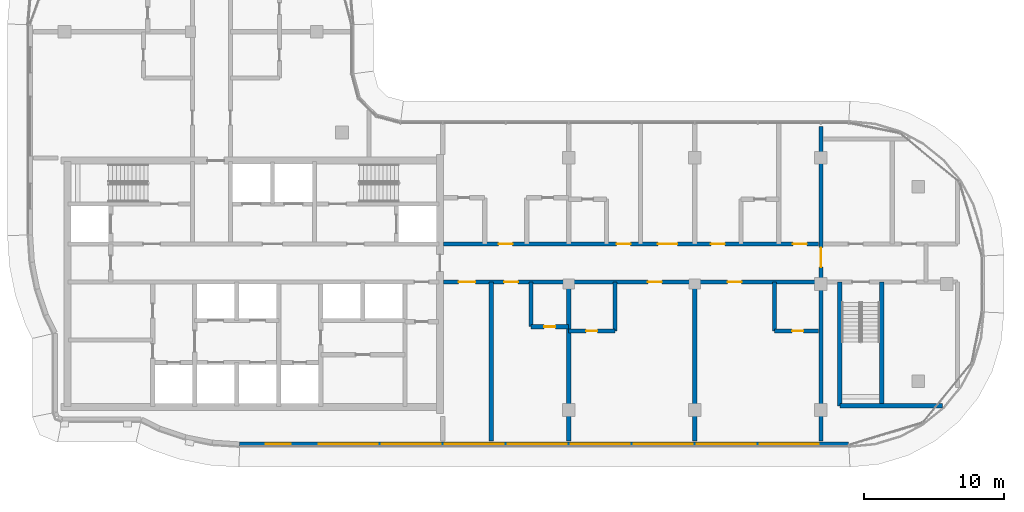
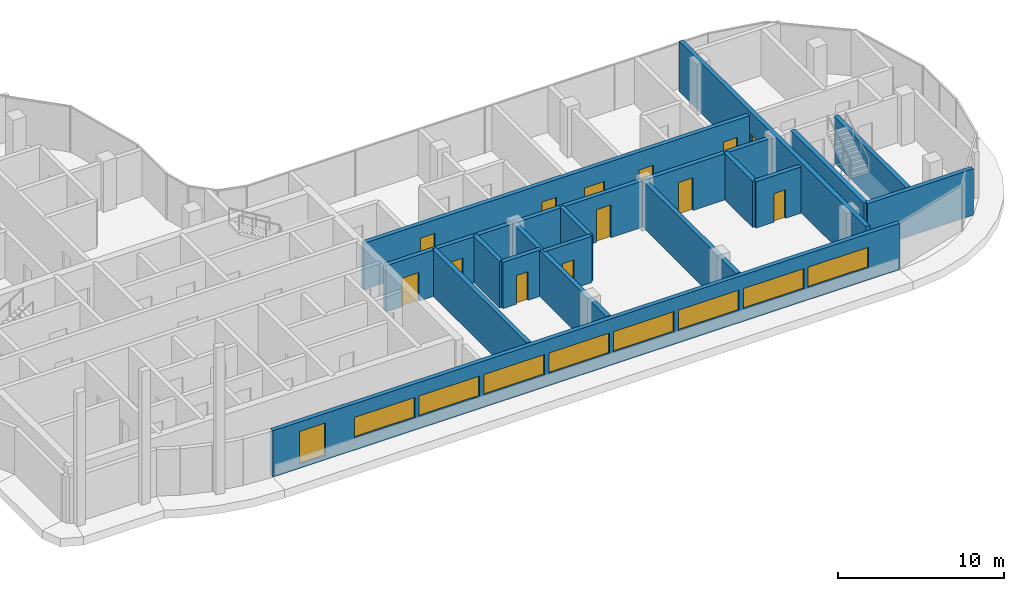
# One storey, part 11 of 20: 16 walls, 13 doors, 9 windows, 22 openings.
"""IFC4 building model written with IfcOpenShell, lengths in metres."""

import ifcopenshell
import ifcopenshell.guid

model = None  # the IFC model being written
_history = None  # IfcOwnerHistory: only IFC2X3 demands one
_inside = {}  # id of a spatial element -> (the spatial element, [elements in it])
_under = {}  # id of a project, library or spatial element -> (it, [spatial elements below it])
_declared = {}  # id of a project -> (the project, [libraries it declares])
_typed = {}  # id of a type object -> (the type object, [elements of that type])
_made_of = {}  # id of a material, layer set ... -> (it, [elements and type objects made of it])


def new_model(schema):
    """Start an empty IFC model of exactly this schema.

    Asked for "IFC4X3", IfcOpenShell would pick the latest addendum, in which some entities
    have other attributes; the version numbers below select the first issue.
    IFC2X3 requires an IfcOwnerHistory on every rooted entity: one is made here for all.
    """
    global model, _history
    if schema == "IFC4X3":
        model = ifcopenshell.file(schema_version=(4, 3, 0, 0))
    else:
        model = ifcopenshell.file(schema=schema)
    _inside.clear()
    _under.clear()
    _declared.clear()
    _typed.clear()
    _made_of.clear()
    _history = None
    if model.schema == "IFC2X3":
        org = make("IfcOrganization", Name="unknown")
        user = make(
            "IfcPersonAndOrganization",
            ThePerson=make("IfcPerson", FamilyName="unknown"),
            TheOrganization=org,
        )
        app = make(
            "IfcApplication",
            ApplicationDeveloper=org,
            Version="unknown",
            ApplicationFullName="unknown",
            ApplicationIdentifier="unknown",
        )
        _history = make(
            "IfcOwnerHistory",
            OwningUser=user,
            OwningApplication=app,
            ChangeAction="ADDED",
            CreationDate=0,
        )
    return model


def make(cls, **values):
    """One entity of the class cls with the attributes given. An attribute that is None is left unset."""
    return model.create_entity(
        cls, **{name: value for name, value in values.items() if value is not None}
    )


def rooted(cls, **values):
    """An entity with a GlobalId (a new one), such as an element, a storey or a relation."""
    return make(cls, GlobalId=ifcopenshell.guid.new(), OwnerHistory=_history, **values)


def si_unit(unit_type, name, prefix=None):
    """IfcSIUnit, for example si_unit("LENGTHUNIT", "METRE", prefix="MILLI")."""
    return make("IfcSIUnit", UnitType=unit_type, Prefix=prefix, Name=name)


def assignment(units):
    """IfcUnitAssignment: the units of a project."""
    return None if units is None else make("IfcUnitAssignment", Units=units)


def point(xyz):
    """IfcCartesianPoint."""
    return None if xyz is None else make("IfcCartesianPoint", Coordinates=xyz)


def direction(xyz):
    """IfcDirection."""
    return None if xyz is None else make("IfcDirection", DirectionRatios=xyz)


def frame(location, z_axis=None, x_axis=None):
    """IfcAxis2Placement3D, a coordinate frame: its origin and axes. An axis left out is left unset."""
    return make(
        "IfcAxis2Placement3D",
        Location=point(location),
        Axis=direction(z_axis),
        RefDirection=direction(x_axis),
    )


def frame_2d(location, x_axis=None):
    """IfcAxis2Placement2D, a coordinate frame in the plane: its origin and x axis."""
    return make(
        "IfcAxis2Placement2D", Location=point(location), RefDirection=direction(x_axis)
    )


def origin():
    """The frame at (0, 0, 0) with its axes left unset."""
    return frame((0.0, 0.0, 0.0))


def place(relative_to, where):
    """IfcLocalPlacement: puts the frame where relative to a parent placement (None: the world)."""
    return make(
        "IfcLocalPlacement", PlacementRelTo=relative_to, RelativePlacement=where
    )


def context(
    kind, dimensions, precision=None, world=None, true_north=None, identifier=None
):
    """IfcGeometricRepresentationContext, for example the 3D "Model" context."""
    return make(
        "IfcGeometricRepresentationContext",
        ContextIdentifier=identifier,
        ContextType=kind,
        CoordinateSpaceDimension=dimensions,
        Precision=precision,
        WorldCoordinateSystem=world,
        TrueNorth=true_north,
    )


def subcontext(parent, identifier, kind, view, scale=None):
    """IfcGeometricRepresentationSubContext, for example "Body" below "Model"."""
    return make(
        "IfcGeometricRepresentationSubContext",
        ContextIdentifier=identifier,
        ContextType=kind,
        ParentContext=parent,
        TargetScale=scale,
        TargetView=view,
    )


def project(units=None, contexts=None):
    """IfcProject with its units and contexts."""
    return rooted(
        "IfcProject",
        Name="project",
        RepresentationContexts=contexts,
        UnitsInContext=assignment(units),
    )


def spatial(cls, under=None, at=None, **own):
    """A site, building, storey or space (cls), placed at a placement, below another one or the project."""
    s = rooted(cls, ObjectPlacement=at, **own)
    if under is not None:
        _under.setdefault(under.id(), (under, []))[1].append(s)
    return s


def profile(cls, at=None, kind="AREA", **sizes):
    """A parametric profile (cls). Its sizes go by their IFC names, for example OverallWidth=200.0."""
    return make(cls, ProfileType=kind, Position=at, **sizes)


def rectangle(**sizes):
    """IfcRectangleProfileDef."""
    return profile("IfcRectangleProfileDef", **sizes)


def extrude(swept, where, along, depth):
    """IfcExtrudedAreaSolid: the profile swept, set in the frame where, extruded along a direction by depth."""
    return make(
        "IfcExtrudedAreaSolid",
        SweptArea=swept,
        Position=where,
        ExtrudedDirection=direction(along),
        Depth=depth,
    )


def shape(context_of_items, identifier, shape_type, items):
    """IfcShapeRepresentation: the items that make up one representation, for example the "Body"."""
    return make(
        "IfcShapeRepresentation",
        ContextOfItems=context_of_items,
        RepresentationIdentifier=identifier,
        RepresentationType=shape_type,
        Items=items,
    )


def material(Name=None, Category=None):
    """IfcMaterial."""
    return make("IfcMaterial", Name=Name, Category=Category)


def layer(
    of_material, thickness, ventilated=None, Name=None, Category=None, Priority=None
):
    """IfcMaterialLayer: one layer of a wall or slab, of a material (None: an air gap)."""
    return make(
        "IfcMaterialLayer",
        Material=of_material,
        LayerThickness=thickness,
        IsVentilated=ventilated,
        Name=Name,
        Category=Category,
        Priority=Priority,
    )


def layer_set(layers, Name=None):
    """IfcMaterialLayerSet."""
    return make("IfcMaterialLayerSet", MaterialLayers=layers, LayerSetName=Name)


def made_of(thing, what):
    """Note that an element or type object is made of a material, layer set ...; save() writes the relation."""
    if what is not None:
        _made_of.setdefault(what.id(), (what, []))[1].append(thing)
    return thing


def type_object(cls, material=None, **own):
    """A type object (cls), such as IfcWallType, which elements share."""
    return made_of(rooted(cls, **own), material)


def element(
    cls,
    number,
    at=None,
    inside=None,
    cuts=None,
    type_object=None,
    material=None,
    context=None,
    identifier="Body",
    shape_type=None,
    held_by="IfcProductDefinitionShape",
    body=None,
    shapes=None,
    **own,
):
    """One element of the class cls, such as IfcWall. Its Tag is "e" and its number.

    at: its placement. inside: the storey or other place that contains it. cuts: it is an
    opening in that element (IfcRelVoidsElement). A single representation is given by context,
    identifier, shape_type and body (its items); several are given by shapes. held_by: the class
    of the entity that holds the representations. save() writes the other relations.
    """
    e = rooted(cls, Tag="e%d" % number, ObjectPlacement=at, **own)
    if body is not None:
        shapes = [shape(context, identifier, shape_type, body)]
    if shapes is not None:
        e.Representation = make(held_by, Representations=shapes)
    if inside is not None:
        _inside.setdefault(inside.id(), (inside, []))[1].append(e)
    if cuts is not None:
        rooted(
            "IfcRelVoidsElement", RelatingBuildingElement=cuts, RelatedOpeningElement=e
        )
    if type_object is not None:
        _typed.setdefault(type_object.id(), (type_object, []))[1].append(e)
    return made_of(e, material)


def fill(opening, filler):
    """IfcRelFillsElement: the door or window that sits in an opening."""
    return rooted(
        "IfcRelFillsElement",
        RelatingOpeningElement=opening,
        RelatedBuildingElement=filler,
    )


def aggregate(whole, parts):
    """IfcRelAggregates: a whole, such as a stair, and the parts it consists of."""
    return rooted("IfcRelAggregates", RelatingObject=whole, RelatedObjects=parts)


def save(model, path):
    """Write the relations noted so far, then the file.

    IfcRelAggregates (storeys below a building ...), IfcRelContainedInSpatialStructure (elements
    in a storey), IfcRelDefinesByType, IfcRelAssociatesMaterial and IfcRelDeclares: one each for
    every whole, place, type object, material and project.
    """
    for whole, parts in _under.values():
        aggregate(whole, parts)
    for where, things in _inside.values():
        rooted(
            "IfcRelContainedInSpatialStructure",
            RelatedElements=things,
            RelatingStructure=where,
        )
    for kind, things in _typed.values():
        rooted("IfcRelDefinesByType", RelatedObjects=things, RelatingType=kind)
    for what, things in _made_of.values():
        rooted("IfcRelAssociatesMaterial", RelatedObjects=things, RelatingMaterial=what)
    for by, libraries in _declared.values():
        rooted("IfcRelDeclares", RelatingContext=by, RelatedDefinitions=libraries)
    model.write(path)


model = new_model("IFC4")

# Units and contexts
model_context = context("Model", 3, precision=1e-05, world=origin(), true_north=direction((0.0, 1.0)))
body_context = subcontext(model_context, "Body", "Model", "MODEL_VIEW")
ifc_project = project(units=[si_unit("LENGTHUNIT", "METRE"), si_unit("AREAUNIT", "SQUARE_METRE"), si_unit("VOLUMEUNIT", "CUBIC_METRE"), si_unit("PLANEANGLEUNIT", "RADIAN"), si_unit("MASSUNIT", "GRAM", prefix="KILO")], contexts=[model_context])

# Site, building, storey
site_placement = place(None, origin())
site = spatial("IfcSite", under=ifc_project, at=site_placement, CompositionType="ELEMENT")
building_placement = place(site_placement, origin())
building = spatial("IfcBuilding", under=site, at=building_placement, Name="Ogive Portal Towers", CompositionType="ELEMENT")
storey_placement = place(building_placement, frame((0.0, 0.0, 232.800048828125)))
storey = spatial("IfcBuildingStorey", under=building, at=storey_placement, Name="L58", CompositionType="ELEMENT", Elevation=232.800048828125)

# Wall, openings, windows
ifc_material_1 = material(Name="Limestone cladding on lightweight block wall", Category="masonry")
ifc_layer_1 = layer(ifc_material_1, 0.300048828125)
ifc_layer_set_1 = layer_set([ifc_layer_1], Name="EXTERNAL WALL 300 STONE")
wall_type_1 = type_object("IfcWallType", Name="EXTERNAL WALL 300 STONE", PredefinedType="SOLIDWALL", material=ifc_layer_set_1)
wall_1_placement = place(storey_placement, frame((44.009765625, 19.074951171875, 0.0), z_axis=(0.0, 0.0, 1.0), x_axis=(1.0, 0.0, 0.0)))
wall_1 = element("IfcWall", 1, at=wall_1_placement, inside=storey, type_object=wall_type_1, Name="A:L58:f08:r0:wall", PredefinedType="SOLIDWALL", context=body_context, shape_type="SweptSolid", body=[
    extrude(rectangle(XDim=43.478271484375, YDim=0.300048828125, at=frame_2d((21.7392578125, 0.0))), origin(), (0.0, 0.0, 1.0), 3.39990234375),
])
opening_1_placement = place(wall_1_placement, frame((1.844970703125, 0.0, 0.300048828125)))
opening_1 = element("IfcOpeningElement", 2, at=opening_1_placement, cuts=wall_1, Name="Opening WN10", PredefinedType="OPENING", context=body_context, shape_type="SweptSolid", body=[
    extrude(rectangle(XDim=1.800048828125, YDim=2.39990234375, at=frame_2d((0.89990234375, 1.199951171875))), frame((0.0, 0.16015625, 0.0), z_axis=(0.0, -1.0, 0.0), x_axis=(1.0, 0.0, 0.0)), (0.0, 0.0, 1.0), 0.320068359375),
])
opening_2_placement = place(wall_1_placement, frame((5.64013671875, 0.0, 0.89990234375)))
opening_2 = element("IfcOpeningElement", 3, at=opening_2_placement, cuts=wall_1, Name="Opening WN11", PredefinedType="OPENING", context=body_context, shape_type="SweptSolid", body=[
    extrude(rectangle(XDim=4.199951171875, YDim=1.5, at=frame_2d((2.10009765625, 0.75))), frame((0.0, 0.16015625, 0.0), z_axis=(0.0, -1.0, 0.0), x_axis=(1.0, 0.0, 0.0)), (0.0, 0.0, 1.0), 0.320068359375),
])
opening_3_placement = place(wall_1_placement, frame((10.14013671875, 0.0, 0.89990234375)))
opening_3 = element("IfcOpeningElement", 4, at=opening_3_placement, cuts=wall_1, Name="Opening WN11", PredefinedType="OPENING", context=body_context, shape_type="SweptSolid", body=[
    extrude(rectangle(XDim=4.199951171875, YDim=1.5, at=frame_2d((2.10009765625, 0.75))), frame((0.0, 0.16015625, 0.0), z_axis=(0.0, -1.0, 0.0), x_axis=(1.0, 0.0, 0.0)), (0.0, 0.0, 1.0), 0.320068359375),
])
opening_4_placement = place(wall_1_placement, frame((14.64013671875, 0.0, 0.89990234375)))
opening_4 = element("IfcOpeningElement", 5, at=opening_4_placement, cuts=wall_1, Name="Opening WN11", PredefinedType="OPENING", context=body_context, shape_type="SweptSolid", body=[
    extrude(rectangle(XDim=4.199951171875, YDim=1.5, at=frame_2d((2.10009765625, 0.75))), frame((0.0, 0.16015625, 0.0), z_axis=(0.0, -1.0, 0.0), x_axis=(1.0, 0.0, 0.0)), (0.0, 0.0, 1.0), 0.320068359375),
])
opening_5_placement = place(wall_1_placement, frame((19.14013671875, 0.0, 0.89990234375)))
opening_5 = element("IfcOpeningElement", 6, at=opening_5_placement, cuts=wall_1, Name="Opening WN11", PredefinedType="OPENING", context=body_context, shape_type="SweptSolid", body=[
    extrude(rectangle(XDim=4.199951171875, YDim=1.5, at=frame_2d((2.10009765625, 0.75))), frame((0.0, 0.16015625, 0.0), z_axis=(0.0, -1.0, 0.0), x_axis=(1.0, 0.0, 0.0)), (0.0, 0.0, 1.0), 0.320068359375),
])
opening_6_placement = place(wall_1_placement, frame((23.64013671875, 0.0, 0.89990234375)))
opening_6 = element("IfcOpeningElement", 7, at=opening_6_placement, cuts=wall_1, Name="Opening WN11", PredefinedType="OPENING", context=body_context, shape_type="SweptSolid", body=[
    extrude(rectangle(XDim=4.199951171875, YDim=1.5, at=frame_2d((2.10009765625, 0.75))), frame((0.0, 0.16015625, 0.0), z_axis=(0.0, -1.0, 0.0), x_axis=(1.0, 0.0, 0.0)), (0.0, 0.0, 1.0), 0.320068359375),
])
opening_7_placement = place(wall_1_placement, frame((28.14013671875, 0.0, 0.89990234375)))
opening_7 = element("IfcOpeningElement", 8, at=opening_7_placement, cuts=wall_1, Name="Opening WN11", PredefinedType="OPENING", context=body_context, shape_type="SweptSolid", body=[
    extrude(rectangle(XDim=4.199951171875, YDim=1.5, at=frame_2d((2.10009765625, 0.75))), frame((0.0, 0.16015625, 0.0), z_axis=(0.0, -1.0, 0.0), x_axis=(1.0, 0.0, 0.0)), (0.0, 0.0, 1.0), 0.320068359375),
])
opening_8_placement = place(wall_1_placement, frame((32.64013671875, 0.0, 0.89990234375)))
opening_8 = element("IfcOpeningElement", 9, at=opening_8_placement, cuts=wall_1, Name="Opening WN11", PredefinedType="OPENING", context=body_context, shape_type="SweptSolid", body=[
    extrude(rectangle(XDim=4.199951171875, YDim=1.5, at=frame_2d((2.10009765625, 0.75))), frame((0.0, 0.16015625, 0.0), z_axis=(0.0, -1.0, 0.0), x_axis=(1.0, 0.0, 0.0)), (0.0, 0.0, 1.0), 0.320068359375),
])
opening_9_placement = place(wall_1_placement, frame((37.14013671875, 0.0, 0.89990234375)))
opening_9 = element("IfcOpeningElement", 10, at=opening_9_placement, cuts=wall_1, Name="Opening WN11", PredefinedType="OPENING", context=body_context, shape_type="SweptSolid", body=[
    extrude(rectangle(XDim=4.199951171875, YDim=1.5, at=frame_2d((2.10009765625, 0.75))), frame((0.0, 0.16015625, 0.0), z_axis=(0.0, -1.0, 0.0), x_axis=(1.0, 0.0, 0.0)), (0.0, 0.0, 1.0), 0.320068359375),
])
ifc_material_2 = material(Name="Glass, clear low-iron insulated glazing", Category="glass")
window_type_1 = type_object("IfcWindowType", Name="WINDOW RIBBON 4200x1500", PartitioningType="TRIPLE_PANEL_VERTICAL", PredefinedType="WINDOW", material=ifc_material_2)
window_1_placement = place(opening_2_placement, origin())
window_1 = element("IfcWindow", 11, at=window_1_placement, inside=storey, type_object=window_type_1, Name="A:L58:f08:r0:w1", OverallHeight=1.5, OverallWidth=4.199951171875, PartitioningType="SINGLE_PANEL", PredefinedType="WINDOW", context=body_context, shape_type="SweptSolid", body=[
    extrude(rectangle(XDim=4.199951171875, YDim=1.5, at=frame_2d((2.10009765625, 0.75))), frame((0.0, 0.030029296875, 0.0), z_axis=(0.0, -1.0, 0.0), x_axis=(1.0, 0.0, 0.0)), (0.0, 0.0, 1.0), 0.06005859375),
])
fill(opening_2, window_1)
window_2_placement = place(opening_3_placement, origin())
window_2 = element("IfcWindow", 12, at=window_2_placement, inside=storey, type_object=window_type_1, Name="A:L58:f08:r0:w2", OverallHeight=1.5, OverallWidth=4.199951171875, PartitioningType="SINGLE_PANEL", PredefinedType="WINDOW", context=body_context, shape_type="SweptSolid", body=[
    extrude(rectangle(XDim=4.199951171875, YDim=1.5, at=frame_2d((2.10009765625, 0.75))), frame((0.0, 0.030029296875, 0.0), z_axis=(0.0, -1.0, 0.0), x_axis=(1.0, 0.0, 0.0)), (0.0, 0.0, 1.0), 0.06005859375),
])
fill(opening_3, window_2)
window_3_placement = place(opening_4_placement, origin())
window_3 = element("IfcWindow", 13, at=window_3_placement, inside=storey, type_object=window_type_1, Name="A:L58:f08:r0:w3", OverallHeight=1.5, OverallWidth=4.199951171875, PartitioningType="SINGLE_PANEL", PredefinedType="WINDOW", context=body_context, shape_type="SweptSolid", body=[
    extrude(rectangle(XDim=4.199951171875, YDim=1.5, at=frame_2d((2.10009765625, 0.75))), frame((0.0, 0.030029296875, 0.0), z_axis=(0.0, -1.0, 0.0), x_axis=(1.0, 0.0, 0.0)), (0.0, 0.0, 1.0), 0.06005859375),
])
fill(opening_4, window_3)
window_4_placement = place(opening_5_placement, origin())
window_4 = element("IfcWindow", 14, at=window_4_placement, inside=storey, type_object=window_type_1, Name="A:L58:f08:r0:w4", OverallHeight=1.5, OverallWidth=4.199951171875, PartitioningType="SINGLE_PANEL", PredefinedType="WINDOW", context=body_context, shape_type="SweptSolid", body=[
    extrude(rectangle(XDim=4.199951171875, YDim=1.5, at=frame_2d((2.10009765625, 0.75))), frame((0.0, 0.030029296875, 0.0), z_axis=(0.0, -1.0, 0.0), x_axis=(1.0, 0.0, 0.0)), (0.0, 0.0, 1.0), 0.06005859375),
])
fill(opening_5, window_4)
window_5_placement = place(opening_6_placement, origin())
window_5 = element("IfcWindow", 15, at=window_5_placement, inside=storey, type_object=window_type_1, Name="A:L58:f08:r0:w5", OverallHeight=1.5, OverallWidth=4.199951171875, PartitioningType="SINGLE_PANEL", PredefinedType="WINDOW", context=body_context, shape_type="SweptSolid", body=[
    extrude(rectangle(XDim=4.199951171875, YDim=1.5, at=frame_2d((2.10009765625, 0.75))), frame((0.0, 0.030029296875, 0.0), z_axis=(0.0, -1.0, 0.0), x_axis=(1.0, 0.0, 0.0)), (0.0, 0.0, 1.0), 0.06005859375),
])
fill(opening_6, window_5)
window_6_placement = place(opening_7_placement, origin())
window_6 = element("IfcWindow", 16, at=window_6_placement, inside=storey, type_object=window_type_1, Name="A:L58:f08:r0:w6", OverallHeight=1.5, OverallWidth=4.199951171875, PartitioningType="SINGLE_PANEL", PredefinedType="WINDOW", context=body_context, shape_type="SweptSolid", body=[
    extrude(rectangle(XDim=4.199951171875, YDim=1.5, at=frame_2d((2.10009765625, 0.75))), frame((0.0, 0.030029296875, 0.0), z_axis=(0.0, -1.0, 0.0), x_axis=(1.0, 0.0, 0.0)), (0.0, 0.0, 1.0), 0.06005859375),
])
fill(opening_7, window_6)
window_7_placement = place(opening_8_placement, origin())
window_7 = element("IfcWindow", 17, at=window_7_placement, inside=storey, type_object=window_type_1, Name="A:L58:f08:r0:w7", OverallHeight=1.5, OverallWidth=4.199951171875, PartitioningType="SINGLE_PANEL", PredefinedType="WINDOW", context=body_context, shape_type="SweptSolid", body=[
    extrude(rectangle(XDim=4.199951171875, YDim=1.5, at=frame_2d((2.10009765625, 0.75))), frame((0.0, 0.030029296875, 0.0), z_axis=(0.0, -1.0, 0.0), x_axis=(1.0, 0.0, 0.0)), (0.0, 0.0, 1.0), 0.06005859375),
])
fill(opening_8, window_7)
window_8_placement = place(opening_9_placement, origin())
window_8 = element("IfcWindow", 18, at=window_8_placement, inside=storey, type_object=window_type_1, Name="A:L58:f08:r0:w8", OverallHeight=1.5, OverallWidth=4.199951171875, PartitioningType="SINGLE_PANEL", PredefinedType="WINDOW", context=body_context, shape_type="SweptSolid", body=[
    extrude(rectangle(XDim=4.199951171875, YDim=1.5, at=frame_2d((2.10009765625, 0.75))), frame((0.0, 0.030029296875, 0.0), z_axis=(0.0, -1.0, 0.0), x_axis=(1.0, 0.0, 0.0)), (0.0, 0.0, 1.0), 0.06005859375),
])
fill(opening_9, window_8)
window_type_2 = type_object("IfcWindowType", Name="WINDOW SUITE CORNER 1800x2400", PartitioningType="DOUBLE_PANEL_VERTICAL", PredefinedType="WINDOW", material=ifc_material_2)
window_9_placement = place(opening_1_placement, origin())
window_9 = element("IfcWindow", 19, at=window_9_placement, inside=storey, type_object=window_type_2, Name="A:L58:f08:r0:w0", OverallHeight=2.39990234375, OverallWidth=1.800048828125, PartitioningType="SINGLE_PANEL", PredefinedType="WINDOW", context=body_context, shape_type="SweptSolid", body=[
    extrude(rectangle(XDim=1.800048828125, YDim=2.39990234375, at=frame_2d((0.89990234375, 1.199951171875))), frame((0.0, 0.030029296875, 0.0), z_axis=(0.0, -1.0, 0.0), x_axis=(1.0, 0.0, 0.0)), (0.0, 0.0, 1.0), 0.06005859375),
])
fill(opening_1, window_9)

# Wall, opening, door
ifc_material_3 = material(Name="Concrete C60/75", Category="concrete")
ifc_layer_2 = layer(ifc_material_3, 0.300048828125)
ifc_layer_set_2 = layer_set([ifc_layer_2], Name="REVEAL WALL 300 C60")
wall_type_2 = type_object("IfcWallType", Name="REVEAL WALL 300 C60", PredefinedType="SHEAR", material=ifc_layer_set_2)
wall_2_placement = place(storey_placement, frame((85.5, 19.27490234375, 0.0), z_axis=(0.0, 0.0, 1.0), x_axis=(0.0, 1.0, 0.0)))
wall_2 = element("IfcWall", 20, at=wall_2_placement, inside=storey, type_object=wall_type_2, Name="Portal reveal wall L58", PredefinedType="SHEAR", context=body_context, shape_type="SweptSolid", body=[
    extrude(rectangle(XDim=22.4501953125, YDim=0.300048828125, at=frame_2d((11.22509765625, 0.0))), origin(), (0.0, 0.0, 1.0), 3.699951171875),
])
opening_10_placement = place(wall_2_placement, frame((12.425048828125, 0.0, 0.0)))
opening_10 = element("IfcOpeningElement", 21, at=opening_10_placement, cuts=wall_2, Name="Opening D26-056", PredefinedType="OPENING", context=body_context, shape_type="SweptSolid", body=[
    extrude(rectangle(XDim=1.39990234375, YDim=2.10009765625, at=frame_2d((0.699951171875, 1.050048828125))), frame((0.0, 0.16015625, 0.0), z_axis=(0.0, -1.0, 0.0), x_axis=(1.0, 0.0, 0.0)), (0.0, 0.0, 1.0), 0.320068359375),
])
ifc_material_4 = material(Name="Steel fire door", Category="steel")
door_type_1 = type_object("IfcDoorType", Name="DT-STAIR-1400x2100-FD90S", OperationType="SINGLE_SWING_LEFT", PredefinedType="DOOR", material=ifc_material_4)
door_1_placement = place(opening_10_placement, origin())
door_1 = element("IfcDoor", 22, at=door_1_placement, inside=storey, type_object=door_type_1, Name="Door D26-056", OperationType="SINGLE_SWING_RIGHT", OverallHeight=2.10009765625, OverallWidth=1.39990234375, PredefinedType="DOOR", context=body_context, shape_type="SweptSolid", body=[
    extrude(rectangle(XDim=1.39990234375, YDim=2.10009765625, at=frame_2d((0.699951171875, 1.050048828125))), frame((0.0, 0.02490234375, 0.0), z_axis=(0.0, -1.0, 0.0), x_axis=(1.0, 0.0, 0.0)), (0.0, 0.0, 1.0), 0.050048828125),
])
fill(opening_10, door_1)

# Walls
ifc_material_5 = material(Name="Concrete C50/60", Category="concrete")
ifc_layer_3 = layer(ifc_material_5, 0.300048828125)
ifc_layer_set_3 = layer_set([ifc_layer_3], Name="STAIR WALL 300 C50")
wall_type_3 = type_object("IfcWallType", Name="STAIR WALL 300 C50", PredefinedType="SHEAR", material=ifc_layer_set_3)
wall_3_placement = place(storey_placement, frame((86.85009765625, 21.800048828125, 0.0), z_axis=(0.0, 0.0, 1.0), x_axis=(1.0, 0.0, 0.0)))
element("IfcWall", 23, at=wall_3_placement, inside=storey, type_object=wall_type_3, Name="Stair wall ST-A4 L58", PredefinedType="SHEAR", context=body_context, shape_type="SweptSolid", body=[
    extrude(rectangle(XDim=7.3388671875, YDim=0.300048828125, at=frame_2d((3.66943359375, 0.0))), origin(), (0.0, 0.0, 1.0), 3.39990234375),
])
for number, where, z_axis, x_axis, name in (
    (24, (86.85009765625, 21.800048828125, 0.0), (0.0, 0.0, 1.0), (0.0, 1.0, 0.0), "Stair wall ST-A4 L58"),
    (25, (89.85009765625, 21.800048828125, 0.0), (0.0, 0.0, 1.0), (0.0, 1.0, 0.0), "Stair wall ST-A4 L58"),
):
    element("IfcWall", number, at=place(storey_placement, frame(where, z_axis=z_axis, x_axis=x_axis)), inside=storey, type_object=wall_type_3, Name=name, PredefinedType="SHEAR", context=body_context, shape_type="SweptSolid", body=[
        extrude(rectangle(XDim=8.849853515625, YDim=0.300048828125, at=frame_2d((4.4248046875, 0.0))), origin(), (0.0, 0.0, 1.0), 3.39990234375),
    ])

# Wall, openings, doors
ifc_material_6 = material(Name="Gypsum board partition on steel studs", Category="steel")
ifc_layer_4 = layer(ifc_material_6, 0.300048828125)
ifc_layer_set_4 = layer_set([ifc_layer_4], Name="WT-PART-300-EI 120")
wall_type_4 = type_object("IfcWallType", Name="WT-PART-300-EI 120", PredefinedType="PARTITIONING", material=ifc_layer_set_4)
wall_4_placement = place(storey_placement, frame((58.550048828125, 30.64990234375, 0.0), z_axis=(0.0, 0.0, 1.0), x_axis=(1.0, 0.0, 0.0)))
wall_4 = element("IfcWall", 26, at=wall_4_placement, inside=storey, type_object=wall_type_4, Name="Wall L58:w005", PredefinedType="PARTITIONING", context=body_context, shape_type="SweptSolid", body=[
    extrude(rectangle(XDim=26.780029296875, YDim=0.300048828125, at=frame_2d((13.39013671875, 0.0))), origin(), (0.0, 0.0, 1.0), 3.39990234375),
])
opening_11_placement = place(wall_4_placement, frame((1.0849609375, 0.0, 0.0)))
opening_11 = element("IfcOpeningElement", 27, at=opening_11_placement, cuts=wall_4, Name="Opening D26-029", PredefinedType="OPENING", context=body_context, shape_type="SweptSolid", body=[
    extrude(rectangle(XDim=1.199951171875, YDim=2.10009765625, at=frame_2d((0.60009765625, 1.050048828125))), frame((0.0, 0.16015625, 0.0), z_axis=(0.0, -1.0, 0.0), x_axis=(1.0, 0.0, 0.0)), (0.0, 0.0, 1.0), 0.320068359375),
])
opening_12_placement = place(wall_4_placement, frame((4.3349609375, 0.0, 0.0)))
opening_12 = element("IfcOpeningElement", 28, at=opening_12_placement, cuts=wall_4, Name="Opening D26-031", PredefinedType="OPENING", context=body_context, shape_type="SweptSolid", body=[
    extrude(rectangle(XDim=1.0, YDim=2.10009765625, at=frame_2d((0.5, 1.050048828125))), frame((0.0, 0.16015625, 0.0), z_axis=(0.0, -1.0, 0.0), x_axis=(1.0, 0.0, 0.0)), (0.0, 0.0, 1.0), 0.320068359375),
])
opening_13_placement = place(wall_4_placement, frame((14.60009765625, 0.0, 0.0)))
opening_13 = element("IfcOpeningElement", 29, at=opening_13_placement, cuts=wall_4, Name="Opening D26-036", PredefinedType="OPENING", context=body_context, shape_type="SweptSolid", body=[
    extrude(rectangle(XDim=1.0, YDim=2.39990234375, at=frame_2d((0.5, 1.199951171875))), frame((0.0, 0.16015625, 0.0), z_axis=(0.0, -1.0, 0.0), x_axis=(1.0, 0.0, 0.0)), (0.0, 0.0, 1.0), 0.320068359375),
])
opening_14_placement = place(wall_4_placement, frame((20.300048828125, 0.0, 0.0)))
opening_14 = element("IfcOpeningElement", 30, at=opening_14_placement, cuts=wall_4, Name="Opening D26-041", PredefinedType="OPENING", context=body_context, shape_type="SweptSolid", body=[
    extrude(rectangle(XDim=1.0, YDim=2.39990234375, at=frame_2d((0.5, 1.199951171875))), frame((0.0, 0.16015625, 0.0), z_axis=(0.0, -1.0, 0.0), x_axis=(1.0, 0.0, 0.0)), (0.0, 0.0, 1.0), 0.320068359375),
])
door_type_2 = type_object("IfcDoorType", Name="DT-ENTRY-1000x2100-FD90S", OperationType="SINGLE_SWING_LEFT", PredefinedType="DOOR", material=ifc_material_4)
door_2_placement = place(opening_12_placement, origin())
door_2 = element("IfcDoor", 31, at=door_2_placement, inside=storey, type_object=door_type_2, Name="Door D26-031", OperationType="SINGLE_SWING_LEFT", OverallHeight=2.10009765625, OverallWidth=1.0, PredefinedType="DOOR", context=body_context, shape_type="SweptSolid", body=[
    extrude(rectangle(XDim=1.0, YDim=2.10009765625, at=frame_2d((0.5, 1.050048828125))), frame((0.0, 0.02490234375, 0.0), z_axis=(0.0, -1.0, 0.0), x_axis=(1.0, 0.0, 0.0)), (0.0, 0.0, 1.0), 0.050048828125),
])
fill(opening_12, door_2)
door_type_3 = type_object("IfcDoorType", Name="DT-ENTRY-1000x2400-FD90S", OperationType="SINGLE_SWING_LEFT", PredefinedType="DOOR", material=ifc_material_4)
door_3_placement = place(opening_13_placement, origin())
door_3 = element("IfcDoor", 32, at=door_3_placement, inside=storey, type_object=door_type_3, Name="Door D26-036", OperationType="SINGLE_SWING_LEFT", OverallHeight=2.39990234375, OverallWidth=1.0, PredefinedType="DOOR", context=body_context, shape_type="SweptSolid", body=[
    extrude(rectangle(XDim=1.0, YDim=2.39990234375, at=frame_2d((0.5, 1.199951171875))), frame((0.0, 0.02490234375, 0.0), z_axis=(0.0, -1.0, 0.0), x_axis=(1.0, 0.0, 0.0)), (0.0, 0.0, 1.0), 0.050048828125),
])
fill(opening_13, door_3)
door_4_placement = place(opening_14_placement, origin())
door_4 = element("IfcDoor", 33, at=door_4_placement, inside=storey, type_object=door_type_3, Name="Door D26-041", OperationType="SINGLE_SWING_RIGHT", OverallHeight=2.39990234375, OverallWidth=1.0, PredefinedType="DOOR", context=body_context, shape_type="SweptSolid", body=[
    extrude(rectangle(XDim=1.0, YDim=2.39990234375, at=frame_2d((0.5, 1.199951171875))), frame((0.0, 0.02490234375, 0.0), z_axis=(0.0, -1.0, 0.0), x_axis=(1.0, 0.0, 0.0)), (0.0, 0.0, 1.0), 0.050048828125),
])
fill(opening_14, door_4)
door_type_4 = type_object("IfcDoorType", Name="DT-ENTRY-1200x2100-FD90S", OperationType="SINGLE_SWING_LEFT", PredefinedType="DOOR", material=ifc_material_4)
door_5_placement = place(opening_11_placement, origin())
door_5 = element("IfcDoor", 34, at=door_5_placement, inside=storey, type_object=door_type_4, Name="Door D26-029", OperationType="SINGLE_SWING_LEFT", OverallHeight=2.10009765625, OverallWidth=1.199951171875, PredefinedType="DOOR", context=body_context, shape_type="SweptSolid", body=[
    extrude(rectangle(XDim=1.199951171875, YDim=2.10009765625, at=frame_2d((0.60009765625, 1.050048828125))), frame((0.0, 0.02490234375, 0.0), z_axis=(0.0, -1.0, 0.0), x_axis=(1.0, 0.0, 0.0)), (0.0, 0.0, 1.0), 0.050048828125),
])
fill(opening_11, door_5)

wall_5_placement = place(storey_placement, frame((58.550048828125, 33.35009765625, 0.0), z_axis=(0.0, 0.0, 1.0), x_axis=(1.0, 0.0, 0.0)))
wall_5 = element("IfcWall", 35, at=wall_5_placement, inside=storey, type_object=wall_type_4, Name="Wall L58:w007", PredefinedType="PARTITIONING", context=body_context, shape_type="SweptSolid", body=[
    extrude(rectangle(XDim=26.780029296875, YDim=0.300048828125, at=frame_2d((13.39013671875, 0.0))), origin(), (0.0, 0.0, 1.0), 3.39990234375),
])
opening_15_placement = place(wall_5_placement, frame((3.949951171875, 0.0, 0.0)))
opening_15 = element("IfcOpeningElement", 36, at=opening_15_placement, cuts=wall_5, Name="Opening D26-028", PredefinedType="OPENING", context=body_context, shape_type="SweptSolid", body=[
    extrude(rectangle(XDim=1.0, YDim=2.39990234375, at=frame_2d((0.5, 1.199951171875))), frame((0.0, 0.16015625, 0.0), z_axis=(0.0, -1.0, 0.0), x_axis=(1.0, 0.0, 0.0)), (0.0, 0.0, 1.0), 0.320068359375),
])
opening_16_placement = place(wall_5_placement, frame((12.364990234375, 0.0, 0.0)))
opening_16 = element("IfcOpeningElement", 37, at=opening_16_placement, cuts=wall_5, Name="Opening D26-033", PredefinedType="OPENING", context=body_context, shape_type="SweptSolid", body=[
    extrude(rectangle(XDim=1.0, YDim=2.10009765625, at=frame_2d((0.5, 1.050048828125))), frame((0.0, 0.16015625, 0.0), z_axis=(0.0, -1.0, 0.0), x_axis=(1.0, 0.0, 0.0)), (0.0, 0.0, 1.0), 0.320068359375),
])
opening_17_placement = place(wall_5_placement, frame((15.31494140625, 0.0, 0.0)))
opening_17 = element("IfcOpeningElement", 38, at=opening_17_placement, cuts=wall_5, Name="Opening D26-034", PredefinedType="OPENING", context=body_context, shape_type="SweptSolid", body=[
    extrude(rectangle(XDim=1.39990234375, YDim=2.10009765625, at=frame_2d((0.699951171875, 1.050048828125))), frame((0.0, 0.16015625, 0.0), z_axis=(0.0, -1.0, 0.0), x_axis=(1.0, 0.0, 0.0)), (0.0, 0.0, 1.0), 0.320068359375),
])
opening_18_placement = place(wall_5_placement, frame((19.10009765625, 0.0, 0.0)))
opening_18 = element("IfcOpeningElement", 39, at=opening_18_placement, cuts=wall_5, Name="Opening D26-038", PredefinedType="OPENING", context=body_context, shape_type="SweptSolid", body=[
    extrude(rectangle(XDim=1.0, YDim=2.10009765625, at=frame_2d((0.5, 1.050048828125))), frame((0.0, 0.16015625, 0.0), z_axis=(0.0, -1.0, 0.0), x_axis=(1.0, 0.0, 0.0)), (0.0, 0.0, 1.0), 0.320068359375),
])
opening_19_placement = place(wall_5_placement, frame((24.949951171875, 0.0, 0.0)))
opening_19 = element("IfcOpeningElement", 40, at=opening_19_placement, cuts=wall_5, Name="Opening D26-039", PredefinedType="OPENING", context=body_context, shape_type="SweptSolid", body=[
    extrude(rectangle(XDim=1.0, YDim=2.10009765625, at=frame_2d((0.5, 1.050048828125))), frame((0.0, 0.16015625, 0.0), z_axis=(0.0, -1.0, 0.0), x_axis=(1.0, 0.0, 0.0)), (0.0, 0.0, 1.0), 0.320068359375),
])
door_6_placement = place(opening_16_placement, origin())
door_6 = element("IfcDoor", 41, at=door_6_placement, inside=storey, type_object=door_type_2, Name="Door D26-033", OperationType="SINGLE_SWING_LEFT", OverallHeight=2.10009765625, OverallWidth=1.0, PredefinedType="DOOR", context=body_context, shape_type="SweptSolid", body=[
    extrude(rectangle(XDim=1.0, YDim=2.10009765625, at=frame_2d((0.5, 1.050048828125))), frame((0.0, 0.02490234375, 0.0), z_axis=(0.0, -1.0, 0.0), x_axis=(1.0, 0.0, 0.0)), (0.0, 0.0, 1.0), 0.050048828125),
])
fill(opening_16, door_6)
door_7_placement = place(opening_18_placement, origin())
door_7 = element("IfcDoor", 42, at=door_7_placement, inside=storey, type_object=door_type_2, Name="Door D26-038", OperationType="SINGLE_SWING_RIGHT", OverallHeight=2.10009765625, OverallWidth=1.0, PredefinedType="DOOR", context=body_context, shape_type="SweptSolid", body=[
    extrude(rectangle(XDim=1.0, YDim=2.10009765625, at=frame_2d((0.5, 1.050048828125))), frame((0.0, 0.02490234375, 0.0), z_axis=(0.0, -1.0, 0.0), x_axis=(1.0, 0.0, 0.0)), (0.0, 0.0, 1.0), 0.050048828125),
])
fill(opening_18, door_7)
door_8_placement = place(opening_19_placement, origin())
door_8 = element("IfcDoor", 43, at=door_8_placement, inside=storey, type_object=door_type_2, Name="Door D26-039", OperationType="SINGLE_SWING_LEFT", OverallHeight=2.10009765625, OverallWidth=1.0, PredefinedType="DOOR", context=body_context, shape_type="SweptSolid", body=[
    extrude(rectangle(XDim=1.0, YDim=2.10009765625, at=frame_2d((0.5, 1.050048828125))), frame((0.0, 0.02490234375, 0.0), z_axis=(0.0, -1.0, 0.0), x_axis=(1.0, 0.0, 0.0)), (0.0, 0.0, 1.0), 0.050048828125),
])
fill(opening_19, door_8)
door_9_placement = place(opening_15_placement, origin())
door_9 = element("IfcDoor", 44, at=door_9_placement, inside=storey, type_object=door_type_3, Name="Door D26-028", OperationType="SINGLE_SWING_LEFT", OverallHeight=2.39990234375, OverallWidth=1.0, PredefinedType="DOOR", context=body_context, shape_type="SweptSolid", body=[
    extrude(rectangle(XDim=1.0, YDim=2.39990234375, at=frame_2d((0.5, 1.199951171875))), frame((0.0, 0.02490234375, 0.0), z_axis=(0.0, -1.0, 0.0), x_axis=(1.0, 0.0, 0.0)), (0.0, 0.0, 1.0), 0.050048828125),
])
fill(opening_15, door_9)
door_type_5 = type_object("IfcDoorType", Name="DT-ENTRY-1400x2100-FD90S", OperationType="SINGLE_SWING_LEFT", PredefinedType="DOOR", material=ifc_material_4)
door_10_placement = place(opening_17_placement, origin())
door_10 = element("IfcDoor", 45, at=door_10_placement, inside=storey, type_object=door_type_5, Name="Door D26-034", OperationType="SINGLE_SWING_RIGHT", OverallHeight=2.10009765625, OverallWidth=1.39990234375, PredefinedType="DOOR", context=body_context, shape_type="SweptSolid", body=[
    extrude(rectangle(XDim=1.39990234375, YDim=2.10009765625, at=frame_2d((0.699951171875, 1.050048828125))), frame((0.0, 0.02490234375, 0.0), z_axis=(0.0, -1.0, 0.0), x_axis=(1.0, 0.0, 0.0)), (0.0, 0.0, 1.0), 0.050048828125),
])
fill(opening_17, door_10)

# Wall, opening, door
ifc_layer_5 = layer(ifc_material_6, 0.300048828125)
ifc_layer_set_5 = layer_set([ifc_layer_5], Name="WT-PART-300-EI 60")
wall_type_5 = type_object("IfcWallType", Name="WT-PART-300-EI 60", PredefinedType="PARTITIONING", material=ifc_layer_set_5)
wall_6_placement = place(storey_placement, frame((67.5, 27.14990234375, 0.0), z_axis=(0.0, 0.0, 1.0), x_axis=(1.0, 0.0, 0.0)))
wall_6 = element("IfcWall", 46, at=wall_6_placement, inside=storey, type_object=wall_type_5, Name="Wall L58:w002", PredefinedType="PARTITIONING", context=body_context, shape_type="SweptSolid", body=[
    extrude(rectangle(XDim=3.300048828125, YDim=0.300048828125, at=frame_2d((1.64990234375, 0.0))), origin(), (0.0, 0.0, 1.0), 3.39990234375),
])
opening_20_placement = place(wall_6_placement, frame((1.25, 0.0, 0.0)))
opening_20 = element("IfcOpeningElement", 47, at=opening_20_placement, cuts=wall_6, Name="Opening D26-035", PredefinedType="OPENING", context=body_context, shape_type="SweptSolid", body=[
    extrude(rectangle(XDim=0.800048828125, YDim=2.10009765625, at=frame_2d((0.39990234375, 1.050048828125))), frame((0.0, 0.16015625, 0.0), z_axis=(0.0, -1.0, 0.0), x_axis=(1.0, 0.0, 0.0)), (0.0, 0.0, 1.0), 0.320068359375),
])
door_type_6 = type_object("IfcDoorType", Name="DT-BATH-800x2100-FD60S", OperationType="SINGLE_SWING_LEFT", PredefinedType="DOOR", material=ifc_material_4)
door_11_placement = place(opening_20_placement, origin())
door_11 = element("IfcDoor", 48, at=door_11_placement, inside=storey, type_object=door_type_6, Name="Door D26-035", OperationType="SINGLE_SWING_LEFT", OverallHeight=2.10009765625, OverallWidth=0.800048828125, PredefinedType="DOOR", context=body_context, shape_type="SweptSolid", body=[
    extrude(rectangle(XDim=0.800048828125, YDim=2.10009765625, at=frame_2d((0.39990234375, 1.050048828125))), frame((0.0, 0.02490234375, 0.0), z_axis=(0.0, -1.0, 0.0), x_axis=(1.0, 0.0, 0.0)), (0.0, 0.0, 1.0), 0.050048828125),
])
fill(opening_20, door_11)

wall_7_placement = place(storey_placement, frame((82.199951171875, 27.14990234375, 0.0), z_axis=(0.0, 0.0, 1.0), x_axis=(1.0, 0.0, 0.0)))
wall_7 = element("IfcWall", 49, at=wall_7_placement, inside=storey, type_object=wall_type_5, Name="Wall L58:w003", PredefinedType="PARTITIONING", context=body_context, shape_type="SweptSolid", body=[
    extrude(rectangle(XDim=3.130126953125, YDim=0.300048828125, at=frame_2d((1.56494140625, 0.0))), origin(), (0.0, 0.0, 1.0), 3.39990234375),
])
opening_21_placement = place(wall_7_placement, frame((1.25, 0.0, 0.0)))
opening_21 = element("IfcOpeningElement", 50, at=opening_21_placement, cuts=wall_7, Name="Opening D26-040", PredefinedType="OPENING", context=body_context, shape_type="SweptSolid", body=[
    extrude(rectangle(XDim=0.800048828125, YDim=2.10009765625, at=frame_2d((0.39990234375, 1.050048828125))), frame((0.0, 0.16015625, 0.0), z_axis=(0.0, -1.0, 0.0), x_axis=(1.0, 0.0, 0.0)), (0.0, 0.0, 1.0), 0.320068359375),
])
door_12_placement = place(opening_21_placement, origin())
door_12 = element("IfcDoor", 51, at=door_12_placement, inside=storey, type_object=door_type_6, Name="Door D26-040", OperationType="SINGLE_SWING_LEFT", OverallHeight=2.10009765625, OverallWidth=0.800048828125, PredefinedType="DOOR", context=body_context, shape_type="SweptSolid", body=[
    extrude(rectangle(XDim=0.800048828125, YDim=2.10009765625, at=frame_2d((0.39990234375, 1.050048828125))), frame((0.0, 0.02490234375, 0.0), z_axis=(0.0, -1.0, 0.0), x_axis=(1.0, 0.0, 0.0)), (0.0, 0.0, 1.0), 0.050048828125),
])
fill(opening_21, door_12)

wall_8_placement = place(storey_placement, frame((64.800048828125, 27.449951171875, 0.0), z_axis=(0.0, 0.0, 1.0), x_axis=(1.0, 0.0, 0.0)))
wall_8 = element("IfcWall", 52, at=wall_8_placement, inside=storey, type_object=wall_type_5, Name="Wall L58:w004", PredefinedType="PARTITIONING", context=body_context, shape_type="SweptSolid", body=[
    extrude(rectangle(XDim=2.699951171875, YDim=0.300048828125, at=frame_2d((1.35009765625, 0.0))), origin(), (0.0, 0.0, 1.0), 3.39990234375),
])
opening_22_placement = place(wall_8_placement, frame((0.949951171875, 0.0, 0.0)))
opening_22 = element("IfcOpeningElement", 53, at=opening_22_placement, cuts=wall_8, Name="Opening D26-030", PredefinedType="OPENING", context=body_context, shape_type="SweptSolid", body=[
    extrude(rectangle(XDim=0.800048828125, YDim=2.10009765625, at=frame_2d((0.39990234375, 1.050048828125))), frame((0.0, 0.16015625, 0.0), z_axis=(0.0, -1.0, 0.0), x_axis=(1.0, 0.0, 0.0)), (0.0, 0.0, 1.0), 0.320068359375),
])
door_13_placement = place(opening_22_placement, origin())
door_13 = element("IfcDoor", 54, at=door_13_placement, inside=storey, type_object=door_type_6, Name="Door D26-030", OperationType="SINGLE_SWING_RIGHT", OverallHeight=2.10009765625, OverallWidth=0.800048828125, PredefinedType="DOOR", context=body_context, shape_type="SweptSolid", body=[
    extrude(rectangle(XDim=0.800048828125, YDim=2.10009765625, at=frame_2d((0.39990234375, 1.050048828125))), frame((0.0, 0.02490234375, 0.0), z_axis=(0.0, -1.0, 0.0), x_axis=(1.0, 0.0, 0.0)), (0.0, 0.0, 1.0), 0.050048828125),
])
fill(opening_22, door_13)

# Walls
wall_9_placement = place(storey_placement, frame((61.969970703125, 19.27490234375, 0.0), z_axis=(0.0, 0.0, 1.0), x_axis=(0.0, 1.0, 0.0)))
element("IfcWall", 55, at=wall_9_placement, inside=storey, type_object=wall_type_5, Name="Wall L58:w036", PredefinedType="PARTITIONING", context=body_context, shape_type="SweptSolid", body=[
    extrude(rectangle(XDim=11.375, YDim=0.300048828125, at=frame_2d((5.6875, 0.0))), origin(), (0.0, 0.0, 1.0), 3.39990234375),
])
wall_10_placement = place(storey_placement, frame((64.800048828125, 27.449951171875, 0.0), z_axis=(0.0, 0.0, 1.0), x_axis=(0.0, 1.0, 0.0)))
element("IfcWall", 56, at=wall_10_placement, inside=storey, type_object=wall_type_5, Name="Wall L58:w038", PredefinedType="PARTITIONING", context=body_context, shape_type="SweptSolid", body=[
    extrude(rectangle(XDim=3.199951171875, YDim=0.300048828125, at=frame_2d((1.60009765625, 0.0))), origin(), (0.0, 0.0, 1.0), 3.39990234375),
])
wall_11_placement = place(storey_placement, frame((67.5, 19.27490234375, 0.0), z_axis=(0.0, 0.0, 1.0), x_axis=(0.0, 1.0, 0.0)))
element("IfcWall", 57, at=wall_11_placement, inside=storey, type_object=wall_type_5, Name="Wall L58:w039", PredefinedType="PARTITIONING", context=body_context, shape_type="SweptSolid", body=[
    extrude(rectangle(XDim=11.375, YDim=0.300048828125, at=frame_2d((5.6875, 0.0))), origin(), (0.0, 0.0, 1.0), 3.39990234375),
])
wall_12_placement = place(storey_placement, frame((70.800048828125, 27.14990234375, 0.0), z_axis=(0.0, 0.0, 1.0), x_axis=(0.0, 1.0, 0.0)))
element("IfcWall", 58, at=wall_12_placement, inside=storey, type_object=wall_type_5, Name="Wall L58:w042", PredefinedType="PARTITIONING", context=body_context, shape_type="SweptSolid", body=[
    extrude(rectangle(XDim=3.5, YDim=0.300048828125, at=frame_2d((1.75, 0.0))), origin(), (0.0, 0.0, 1.0), 3.39990234375),
])
wall_13_placement = place(storey_placement, frame((76.5, 19.27490234375, 0.0), z_axis=(0.0, 0.0, 1.0), x_axis=(0.0, 1.0, 0.0)))
element("IfcWall", 59, at=wall_13_placement, inside=storey, type_object=wall_type_5, Name="Wall L58:w044", PredefinedType="PARTITIONING", context=body_context, shape_type="SweptSolid", body=[
    extrude(rectangle(XDim=11.375, YDim=0.300048828125, at=frame_2d((5.6875, 0.0))), origin(), (0.0, 0.0, 1.0), 3.39990234375),
])
wall_14_placement = place(storey_placement, frame((82.199951171875, 27.14990234375, 0.0), z_axis=(0.0, 0.0, 1.0), x_axis=(0.0, 1.0, 0.0)))
element("IfcWall", 60, at=wall_14_placement, inside=storey, type_object=wall_type_5, Name="Wall L58:w047", PredefinedType="PARTITIONING", context=body_context, shape_type="SweptSolid", body=[
    extrude(rectangle(XDim=3.5, YDim=0.300048828125, at=frame_2d((1.75, 0.0))), origin(), (0.0, 0.0, 1.0), 3.39990234375),
])

save(model, "model.ifc")
